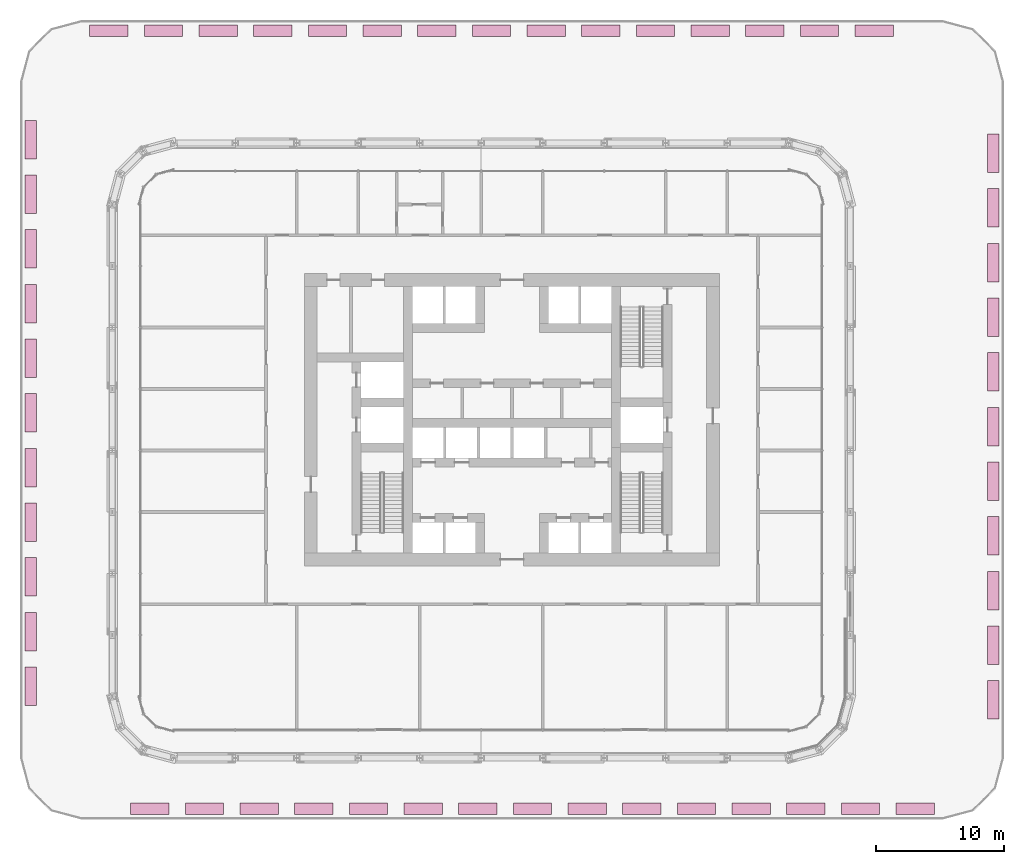
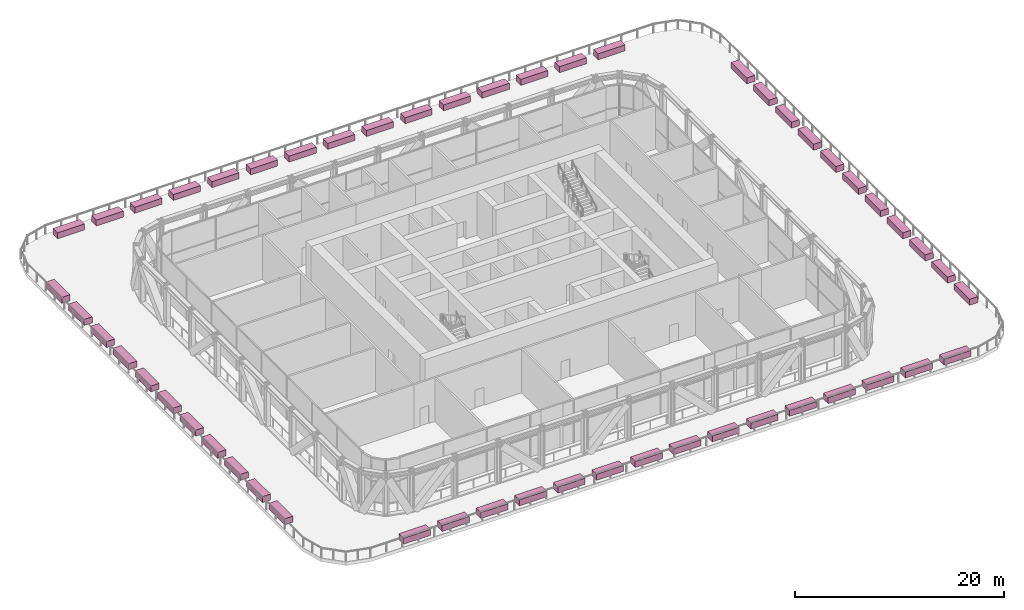
# One storey, part 22 of 22: 52 furniture elements.
"""IFC4 building model written with IfcOpenShell, lengths in metres."""

from ifc_helpers import new_model, si_unit, direction, frame, origin, origin_2d, place, context, subcontext, project, spatial, rectangle, extrude, material, type_object, element, save


model = new_model("IFC4")

# Units and contexts
model_context = context("Model", 3, precision=1e-05, world=origin(), true_north=direction((0.0, 1.0)))
body_context = subcontext(model_context, "Body", "Model", "MODEL_VIEW")
ifc_project = project(units=[si_unit("LENGTHUNIT", "METRE"), si_unit("AREAUNIT", "SQUARE_METRE"), si_unit("VOLUMEUNIT", "CUBIC_METRE"), si_unit("PLANEANGLEUNIT", "RADIAN"), si_unit("MASSUNIT", "GRAM", prefix="KILO")], contexts=[model_context])

# Site, building, storey
site_placement = place(None, origin())
site = spatial("IfcSite", under=ifc_project, at=site_placement, CompositionType="ELEMENT")
building_placement = place(site_placement, origin())
building = spatial("IfcBuilding", under=site, at=building_placement, Name="Madar Terraces", CompositionType="ELEMENT")
storey_placement = place(building_placement, frame((0.0, 0.0, 24.0)))
storey = spatial("IfcBuildingStorey", under=building, at=storey_placement, Name="L05", CompositionType="ELEMENT", Elevation=24.0)

# Furniture
ifc_material = material(Name="Precast concrete C30/37, planted soil", Category="concrete")
furniture_type = type_object("IfcFurnitureType", Name="Terrace planter 3000 x 900 x 700", AssemblyPlace="NOTDEFINED", PredefinedType="NOTDEFINED", material=ifc_material)
for number, where, z_axis, x_axis, name in (
    (1, (68.75, 4.53271484375, 0.0400390625), (0.0, 0.0, 1.0), (0.0, 1.0, 0.0), "PLANTER L05 1"),
    (2, (68.75, 8.799560546875, 0.0400390625), (0.0, 0.0, 1.0), (0.0, 1.0, 0.0), "PLANTER L05 2"),
    (3, (68.75, 13.066162109375, 0.0400390625), (0.0, 0.0, 1.0), (0.0, 1.0, 0.0), "PLANTER L05 3"),
    (4, (68.75, 17.3330078125, 0.0400390625), (0.0, 0.0, 1.0), (0.0, 1.0, 0.0), "PLANTER L05 4"),
    (5, (68.75, 21.599609375, 0.0400390625), (0.0, 0.0, 1.0), (0.0, 1.0, 0.0), "PLANTER L05 5"),
    (6, (68.75, 25.8662109375, 0.0400390625), (0.0, 0.0, 1.0), (0.0, 1.0, 0.0), "PLANTER L05 6"),
    (7, (68.75, 30.133056640625, 0.0400390625), (0.0, 0.0, 1.0), (0.0, 1.0, 0.0), "PLANTER L05 7"),
    (8, (68.75, 34.399658203125, 0.0400390625), (0.0, 0.0, 1.0), (0.0, 1.0, 0.0), "PLANTER L05 8"),
    (9, (68.75, 38.66650390625, 0.0400390625), (0.0, 0.0, 1.0), (0.0, 1.0, 0.0), "PLANTER L05 9"),
    (10, (68.75, 42.93310546875, 0.0400390625), (0.0, 0.0, 1.0), (0.0, 1.0, 0.0), "PLANTER L05 10"),
    (11, (68.75, 47.199951171875, 0.0400390625), (0.0, 0.0, 1.0), (0.0, 1.0, 0.0), "PLANTER L05 11"),
    (12, (59.46728515625, 56.75, 0.0400390625), (0.0, 0.0, 1.0), (-1.0, 0.0, 0.0), "PLANTER L05 12"),
    (13, (55.20068359375, 56.75, 0.0400390625), (0.0, 0.0, 1.0), (-1.0, 0.0, 0.0), "PLANTER L05 13"),
    (14, (50.933837890625, 56.75, 0.0400390625), (0.0, 0.0, 1.0), (-1.0, 0.0, 0.0), "PLANTER L05 14"),
    (15, (46.667236328125, 56.75, 0.0400390625), (0.0, 0.0, 1.0), (-1.0, 0.0, 0.0), "PLANTER L05 15"),
    (16, (42.400390625, 56.75, 0.0400390625), (0.0, 0.0, 1.0), (-1.0, 0.0, 0.0), "PLANTER L05 16"),
    (17, (38.1337890625, 56.75, 0.0400390625), (0.0, 0.0, 1.0), (-1.0, 0.0, 0.0), "PLANTER L05 17"),
    (18, (33.866943359375, 56.75, 0.0400390625), (0.0, 0.0, 1.0), (-1.0, 0.0, 0.0), "PLANTER L05 18"),
    (19, (29.600341796875, 56.75, 0.0400390625), (0.0, 0.0, 1.0), (-1.0, 0.0, 0.0), "PLANTER L05 19"),
    (20, (25.33349609375, 56.75, 0.0400390625), (0.0, 0.0, 1.0), (-1.0, 0.0, 0.0), "PLANTER L05 20"),
    (21, (21.06689453125, 56.75, 0.0400390625), (0.0, 0.0, 1.0), (-1.0, 0.0, 0.0), "PLANTER L05 21"),
    (22, (16.80029296875, 56.75, 0.0400390625), (0.0, 0.0, 1.0), (-1.0, 0.0, 0.0), "PLANTER L05 22"),
    (23, (12.533447265625, 56.75, 0.0400390625), (0.0, 0.0, 1.0), (-1.0, 0.0, 0.0), "PLANTER L05 23"),
    (24, (8.266845703125, 56.75, 0.0400390625), (0.0, 0.0, 1.0), (-1.0, 0.0, 0.0), "PLANTER L05 24"),
    (25, (4.0, 56.75, 0.0400390625), (0.0, 0.0, 1.0), (-1.0, 0.0, 0.0), "PLANTER L05 25"),
    (26, (-0.2666015625, 56.75, 0.0400390625), (0.0, 0.0, 1.0), (-1.0, 0.0, 0.0), "PLANTER L05 26"),
    (27, (-6.35009765625, 48.26708984375, 0.0400390625), (0.0, 0.0, 1.0), (0.0, -1.0, 0.0), "PLANTER L05 27"),
    (28, (-6.35009765625, 44.00048828125, 0.0400390625), (0.0, 0.0, 1.0), (0.0, -1.0, 0.0), "PLANTER L05 28"),
    (29, (-6.35009765625, 39.73388671875, 0.0400390625), (0.0, 0.0, 1.0), (0.0, -1.0, 0.0), "PLANTER L05 29"),
    (30, (-6.35009765625, 35.467041015625, 0.0400390625), (0.0, 0.0, 1.0), (0.0, -1.0, 0.0), "PLANTER L05 30"),
    (31, (-6.35009765625, 31.200439453125, 0.0400390625), (0.0, 0.0, 1.0), (0.0, -1.0, 0.0), "PLANTER L05 31"),
    (32, (-6.35009765625, 26.93359375, 0.0400390625), (0.0, 0.0, 1.0), (0.0, -1.0, 0.0), "PLANTER L05 32"),
    (33, (-6.35009765625, 22.6669921875, 0.0400390625), (0.0, 0.0, 1.0), (0.0, -1.0, 0.0), "PLANTER L05 33"),
    (34, (-6.35009765625, 18.400390625, 0.0400390625), (0.0, 0.0, 1.0), (0.0, -1.0, 0.0), "PLANTER L05 34"),
    (35, (-6.35009765625, 14.133544921875, 0.0400390625), (0.0, 0.0, 1.0), (0.0, -1.0, 0.0), "PLANTER L05 35"),
    (36, (-6.35009765625, 9.86669921875, 0.0400390625), (0.0, 0.0, 1.0), (0.0, -1.0, 0.0), "PLANTER L05 36"),
    (37, (-6.35009765625, 5.60009765625, 0.0400390625), (0.0, 0.0, 1.0), (0.0, -1.0, 0.0), "PLANTER L05 37"),
    (38, (2.9326171875, -3.949951171875, 0.0400390625), (0.0, 0.0, 1.0), (1.0, 0.0, 0.0), "PLANTER L05 38"),
    (39, (7.199462890625, -3.949951171875, 0.0400390625), (0.0, 0.0, 1.0), (1.0, 0.0, 0.0), "PLANTER L05 39"),
    (40, (11.466064453125, -3.949951171875, 0.0400390625), (0.0, 0.0, 1.0), (1.0, 0.0, 0.0), "PLANTER L05 40"),
    (41, (15.73291015625, -3.949951171875, 0.0400390625), (0.0, 0.0, 1.0), (1.0, 0.0, 0.0), "PLANTER L05 41"),
    (42, (19.99951171875, -3.949951171875, 0.0400390625), (0.0, 0.0, 1.0), (1.0, 0.0, 0.0), "PLANTER L05 42"),
    (43, (24.266357421875, -3.949951171875, 0.0400390625), (0.0, 0.0, 1.0), (1.0, 0.0, 0.0), "PLANTER L05 43"),
    (44, (28.532958984375, -3.949951171875, 0.0400390625), (0.0, 0.0, 1.0), (1.0, 0.0, 0.0), "PLANTER L05 44"),
    (45, (32.7998046875, -3.949951171875, 0.0400390625), (0.0, 0.0, 1.0), (1.0, 0.0, 0.0), "PLANTER L05 45"),
    (46, (37.06640625, -3.949951171875, 0.0400390625), (0.0, 0.0, 1.0), (1.0, 0.0, 0.0), "PLANTER L05 46"),
    (47, (41.3330078125, -3.949951171875, 0.0400390625), (0.0, 0.0, 1.0), (1.0, 0.0, 0.0), "PLANTER L05 47"),
    (48, (45.599853515625, -3.949951171875, 0.0400390625), (0.0, 0.0, 1.0), (1.0, 0.0, 0.0), "PLANTER L05 48"),
    (49, (49.866455078125, -3.949951171875, 0.0400390625), (0.0, 0.0, 1.0), (1.0, 0.0, 0.0), "PLANTER L05 49"),
    (50, (54.13330078125, -3.949951171875, 0.0400390625), (0.0, 0.0, 1.0), (1.0, 0.0, 0.0), "PLANTER L05 50"),
    (51, (58.39990234375, -3.949951171875, 0.0400390625), (0.0, 0.0, 1.0), (1.0, 0.0, 0.0), "PLANTER L05 51"),
    (52, (62.66650390625, -3.949951171875, 0.0400390625), (0.0, 0.0, 1.0), (1.0, 0.0, 0.0), "PLANTER L05 52"),
):
    element("IfcFurniture", number, at=place(storey_placement, frame(where, z_axis=z_axis, x_axis=x_axis)), inside=storey, type_object=furniture_type, Name=name, PredefinedType="NOTDEFINED", context=body_context, shape_type="SweptSolid", body=[
        extrude(rectangle(XDim=3.0, YDim=0.89990234375, at=origin_2d()), origin(), (0.0, 0.0, 1.0), 0.699951171875),
    ])

save(model, "model.ifc")
